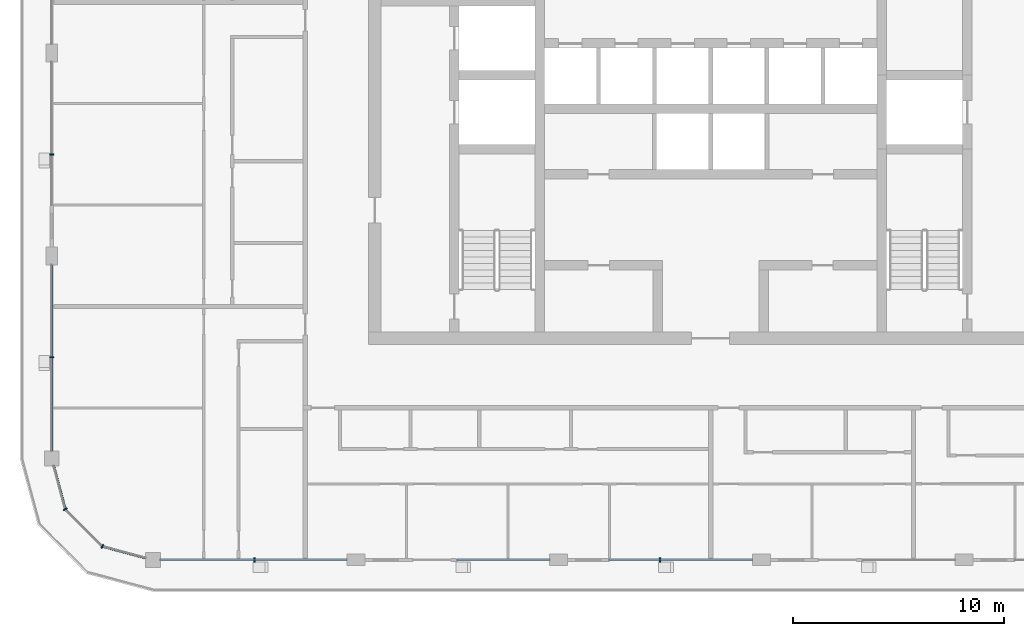
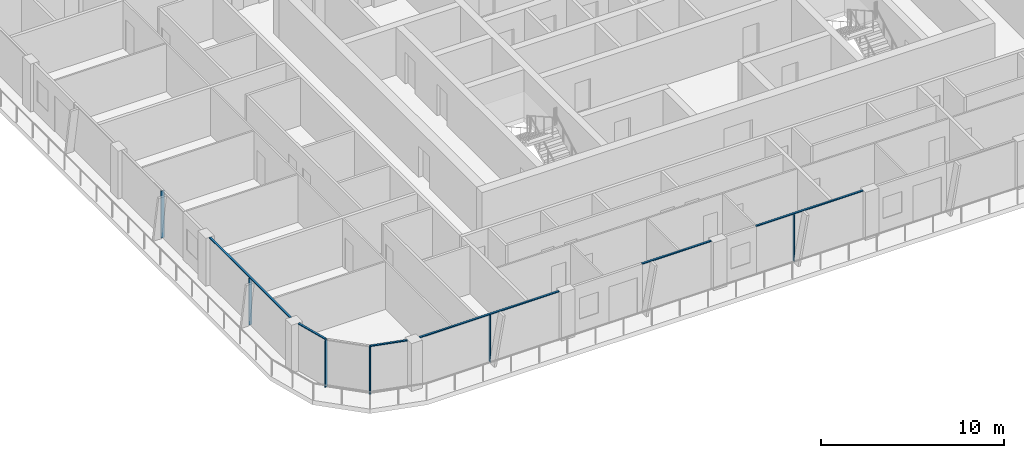
# One storey, part 2 of 21: 12 members, 6 elements without a shape of their own.
"""IFC4 building model written with IfcOpenShell, lengths in metres."""

from ifc_helpers import new_model, si_unit, direction, frame, origin, origin_2d, place, context, subcontext, project, spatial, rectangle, extrude, material, layer, layer_set, material_profile, profile_set, type_object, element, aggregate, save


model = new_model("IFC4")

# Units and contexts
model_context = context("Model", 3, precision=1e-05, world=origin(), true_north=direction((0.0, 1.0)))
body_context = subcontext(model_context, "Body", "Model", "MODEL_VIEW")
ifc_project = project(units=[si_unit("LENGTHUNIT", "METRE"), si_unit("AREAUNIT", "SQUARE_METRE"), si_unit("VOLUMEUNIT", "CUBIC_METRE"), si_unit("PLANEANGLEUNIT", "RADIAN"), si_unit("MASSUNIT", "GRAM", prefix="KILO")], contexts=[model_context])

# Site, building, storey
site_placement = place(None, origin())
site = spatial("IfcSite", under=ifc_project, at=site_placement, CompositionType="ELEMENT")
building_placement = place(site_placement, origin())
building = spatial("IfcBuilding", under=site, at=building_placement, Name="Madar Terraces", CompositionType="ELEMENT")
storey_placement = place(building_placement, frame((0.0, 0.0, 242.199951171875)))
storey = spatial("IfcBuildingStorey", under=building, at=storey_placement, Name="L63", CompositionType="ELEMENT", Elevation=242.199951171875)

# Curtain wall, member
ifc_material_1 = material(Name="Glass, ceramic frit dark grey, with black aluminium frame", Category="aluminium")
ifc_layer = layer(ifc_material_1, 0.199951171875)
ifc_layer_set = layer_set([ifc_layer], Name="Facade curtain wall, fritted glass")
curtain_wall_type = type_object("IfcCurtainWallType", Name="Facade curtain wall, fritted glass", PredefinedType="NOTDEFINED", material=ifc_layer_set)
curtain_wall_1_placement = place(storey_placement, origin())
curtain_wall_1 = element("IfcCurtainWall", 1, at=curtain_wall_1_placement, inside=storey, type_object=curtain_wall_type, Name="Outer skin curtain wall south bay 1", PredefinedType="NOTDEFINED")
ifc_material_2 = material(Name="Aluminium, black anodised", Category="aluminium")
ifc_material_profile_1 = material_profile(ifc_material_2, rectangle(XDim=0.199951171875, YDim=0.06005859375, at=origin_2d()), Name="Facade mullion 60x200")
ifc_profile_set_1 = profile_set([ifc_material_profile_1], Name="Aluminium, black anodised")
member_type_1 = type_object("IfcMemberType", Name="Facade mullion 60x200", PredefinedType="MULLION", material=ifc_profile_set_1)
member_1_placement = place(storey_placement, frame((9.60009765625, 4.800048828125, 0.0), z_axis=(0.0, 0.0, 1.0), x_axis=(0.0, 1.0, 0.0)))
member_1 = element("IfcMember", 2, at=member_1_placement, type_object=member_type_1, Name="Mullion 1", PredefinedType="MULLION", context=body_context, shape_type="SweptSolid", body=[
    extrude(rectangle(XDim=0.199951171875, YDim=0.06005859375, at=origin_2d()), origin(), (0.0, 0.0, 1.0), 3.14013671875),
])

curtain_wall_2_placement = place(storey_placement, origin())
curtain_wall_2 = element("IfcCurtainWall", 3, at=curtain_wall_2_placement, inside=storey, type_object=curtain_wall_type, Name="Outer skin curtain wall south bay 3", PredefinedType="NOTDEFINED")
member_2_placement = place(storey_placement, frame((28.800048828125, 4.800048828125, 0.0), z_axis=(0.0, 0.0, 1.0), x_axis=(0.0, 1.0, 0.0)))
member_2 = element("IfcMember", 4, at=member_2_placement, type_object=member_type_1, Name="Mullion 1", PredefinedType="MULLION", context=body_context, shape_type="SweptSolid", body=[
    extrude(rectangle(XDim=0.199951171875, YDim=0.06005859375, at=origin_2d()), origin(), (0.0, 0.0, 1.0), 3.14013671875),
])

curtain_wall_3_placement = place(storey_placement, origin())
curtain_wall_3 = element("IfcCurtainWall", 5, at=curtain_wall_3_placement, inside=storey, type_object=curtain_wall_type, Name="Outer skin curtain wall west bay 3", PredefinedType="NOTDEFINED")
member_3_placement = place(storey_placement, frame((0.0, 24.0, 0.0), z_axis=(0.0, 0.0, 1.0), x_axis=(1.0, 0.0, 0.0)))
member_3 = element("IfcMember", 6, at=member_3_placement, type_object=member_type_1, Name="Mullion 1", PredefinedType="MULLION", context=body_context, shape_type="SweptSolid", body=[
    extrude(rectangle(XDim=0.199951171875, YDim=0.06005859375, at=origin_2d()), origin(), (0.0, 0.0, 1.0), 3.14013671875),
])
aggregate(curtain_wall_3, [member_3])

curtain_wall_4_placement = place(storey_placement, origin())
curtain_wall_4 = element("IfcCurtainWall", 7, at=curtain_wall_4_placement, inside=storey, type_object=curtain_wall_type, Name="Outer skin curtain wall west bay 4", PredefinedType="NOTDEFINED")
member_4_placement = place(storey_placement, frame((0.0, 14.39990234375, 0.0), z_axis=(0.0, 0.0, 1.0), x_axis=(1.0, 0.0, 0.0)))
member_4 = element("IfcMember", 8, at=member_4_placement, type_object=member_type_1, Name="Mullion 1", PredefinedType="MULLION", context=body_context, shape_type="SweptSolid", body=[
    extrude(rectangle(XDim=0.199951171875, YDim=0.06005859375, at=origin_2d()), origin(), (0.0, 0.0, 1.0), 3.14013671875),
])

# Curtain wall, members
curtain_wall_5_placement = place(storey_placement, origin())
curtain_wall_5 = element("IfcCurtainWall", 9, at=curtain_wall_5_placement, inside=storey, type_object=curtain_wall_type, Name="Outer skin curtain wall south-west corner", PredefinedType="NOTDEFINED")
member_5_placement = place(storey_placement, frame((0.64306640625, 7.199951171875, 0.0), z_axis=(0.0, 0.0, 1.0), x_axis=(0.866025409797, 0.499999989586, 0.0)))
member_5 = element("IfcMember", 10, at=member_5_placement, type_object=member_type_1, Name="Mullion 1", PredefinedType="MULLION", context=body_context, shape_type="SweptSolid", body=[
    extrude(rectangle(XDim=0.199951171875, YDim=0.06005859375, at=origin_2d()), origin(), (0.0, 0.0, 1.0), 3.14013671875),
])
member_6_placement = place(storey_placement, frame((2.39990234375, 5.443115234375, 0.0), z_axis=(0.0, 0.0, 1.0), x_axis=(0.499999989586, 0.866025409797, 0.0)))
member_6 = element("IfcMember", 11, at=member_6_placement, type_object=member_type_1, Name="Mullion 2", PredefinedType="MULLION", context=body_context, shape_type="SweptSolid", body=[
    extrude(rectangle(XDim=0.199951171875, YDim=0.06005859375, at=origin_2d()), origin(), (0.0, 0.0, 1.0), 3.14013671875),
])

# Member
ifc_material_3 = material(Name="Aluminium, black anodised", Category="aluminium")
ifc_material_profile_2 = material_profile(ifc_material_3, rectangle(XDim=0.1201171875, YDim=0.06005859375, at=origin_2d()), Name="Facade transom 60x120")
ifc_profile_set_2 = profile_set([ifc_material_profile_2], Name="Aluminium, black anodised")
member_type_2 = type_object("IfcMemberType", Name="Facade transom 60x120", PredefinedType="USERDEFINED", material=ifc_profile_set_2)
member_7_placement = place(storey_placement, frame((5.14990234375, 4.800048828125, 3.170166015625), z_axis=(1.0, 0.0, 0.0), x_axis=(0.0, 1.0, 0.0)))
member_7 = element("IfcMember", 12, at=member_7_placement, type_object=member_type_2, Name="Transom 1", ObjectType="TRANSOM", PredefinedType="USERDEFINED", context=body_context, shape_type="SweptSolid", body=[
    extrude(rectangle(XDim=0.1201171875, YDim=0.06005859375, at=origin_2d()), origin(), (0.0, 0.0, 1.0), 8.8251953125),
])

aggregate(curtain_wall_1, [member_1, member_7])

# Curtain wall, member
curtain_wall_6_placement = place(storey_placement, origin())
curtain_wall_6 = element("IfcCurtainWall", 13, at=curtain_wall_6_placement, inside=storey, type_object=curtain_wall_type, Name="Outer skin curtain wall south bay 2", PredefinedType="NOTDEFINED")
member_8_placement = place(storey_placement, frame((19.199951171875, 4.800048828125, 3.170166015625), z_axis=(1.0, 0.0, 0.0), x_axis=(0.0, 1.0, 0.0)))
member_8 = element("IfcMember", 14, at=member_8_placement, type_object=member_type_2, Name="Transom 1", ObjectType="TRANSOM", PredefinedType="USERDEFINED", context=body_context, shape_type="SweptSolid", body=[
    extrude(rectangle(XDim=0.1201171875, YDim=0.06005859375, at=origin_2d()), origin(), (0.0, 0.0, 1.0), 4.375),
])
aggregate(curtain_wall_6, [member_8])

# Member
member_9_placement = place(storey_placement, frame((26.39990234375, 4.800048828125, 3.170166015625), z_axis=(1.0, 0.0, 0.0), x_axis=(0.0, 1.0, 0.0)))
member_9 = element("IfcMember", 15, at=member_9_placement, type_object=member_type_2, Name="Transom 1", ObjectType="TRANSOM", PredefinedType="USERDEFINED", context=body_context, shape_type="SweptSolid", body=[
    extrude(rectangle(XDim=0.1201171875, YDim=0.06005859375, at=origin_2d()), origin(), (0.0, 0.0, 1.0), 6.775146484375),
])

aggregate(curtain_wall_2, [member_2, member_9])

member_10_placement = place(storey_placement, frame((0.0, 18.77490234375, 3.170166015625), z_axis=(0.0, -1.0, 0.0), x_axis=(1.0, 0.0, 0.0)))
member_10 = element("IfcMember", 16, at=member_10_placement, type_object=member_type_2, Name="Transom 1", ObjectType="TRANSOM", PredefinedType="USERDEFINED", context=body_context, shape_type="SweptSolid", body=[
    extrude(rectangle(XDim=0.1201171875, YDim=0.06005859375, at=origin_2d()), origin(), (0.0, 0.0, 1.0), 8.824951171875),
])

aggregate(curtain_wall_4, [member_4, member_10])

member_11_placement = place(storey_placement, frame((0.09375, 9.25, 3.170166015625), z_axis=(0.258809963731, -0.965928259589, 0.0), x_axis=(0.965928259589, 0.258809963731, 0.0)))
member_11 = element("IfcMember", 17, at=member_11_placement, type_object=member_type_2, Name="Transom 1", ObjectType="TRANSOM", PredefinedType="USERDEFINED", context=body_context, shape_type="SweptSolid", body=[
    extrude(rectangle(XDim=0.1201171875, YDim=0.06005859375, at=origin_2d()), origin(), (0.0, 0.0, 1.0), 2.09228515625),
])

member_12_placement = place(storey_placement, frame((2.428955078125, 5.435302734375, 3.170166015625), z_axis=(0.965928259589, -0.258809963731, 0.0), x_axis=(0.258809963731, 0.965928259589, 0.0)))
member_12 = element("IfcMember", 18, at=member_12_placement, type_object=member_type_2, Name="Transom 3", ObjectType="TRANSOM", PredefinedType="USERDEFINED", context=body_context, shape_type="SweptSolid", body=[
    extrude(rectangle(XDim=0.1201171875, YDim=0.06005859375, at=origin_2d()), origin(), (0.0, 0.0, 1.0), 2.09228515625),
])

aggregate(curtain_wall_5, [member_5, member_11, member_6, member_12])

save(model, "model.ifc")
